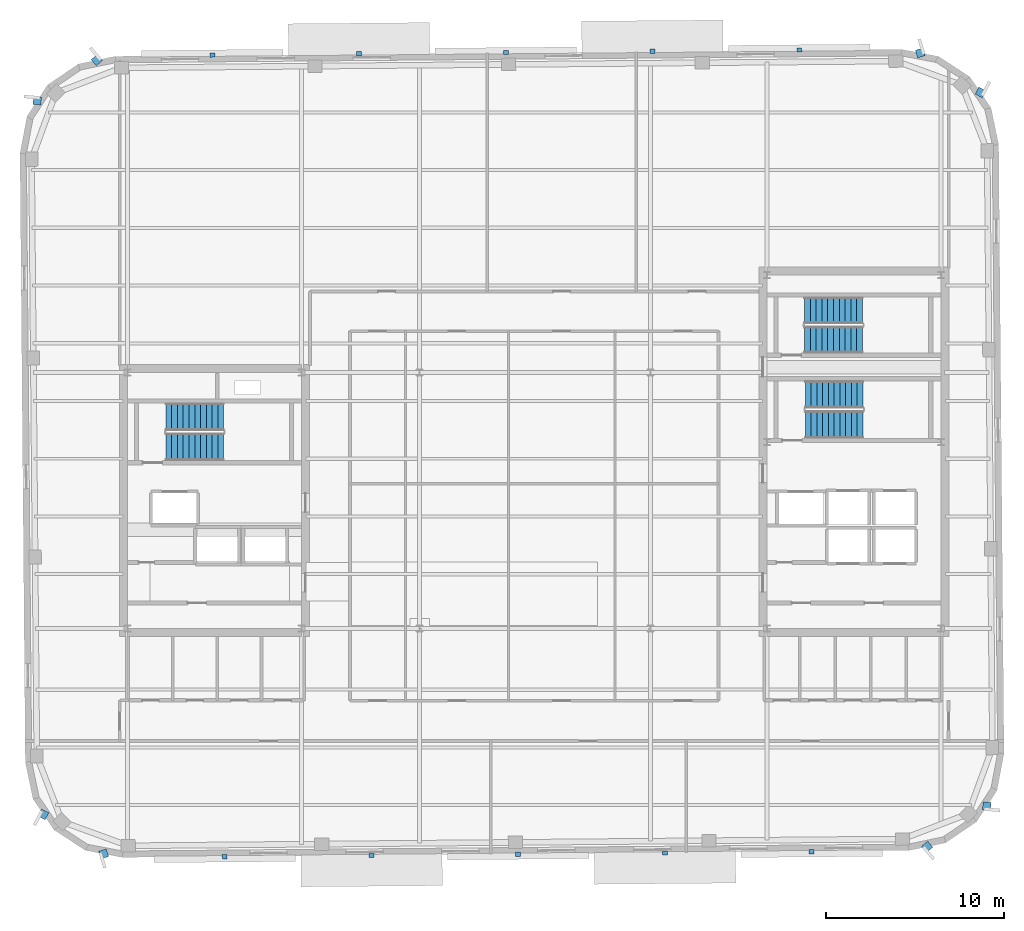
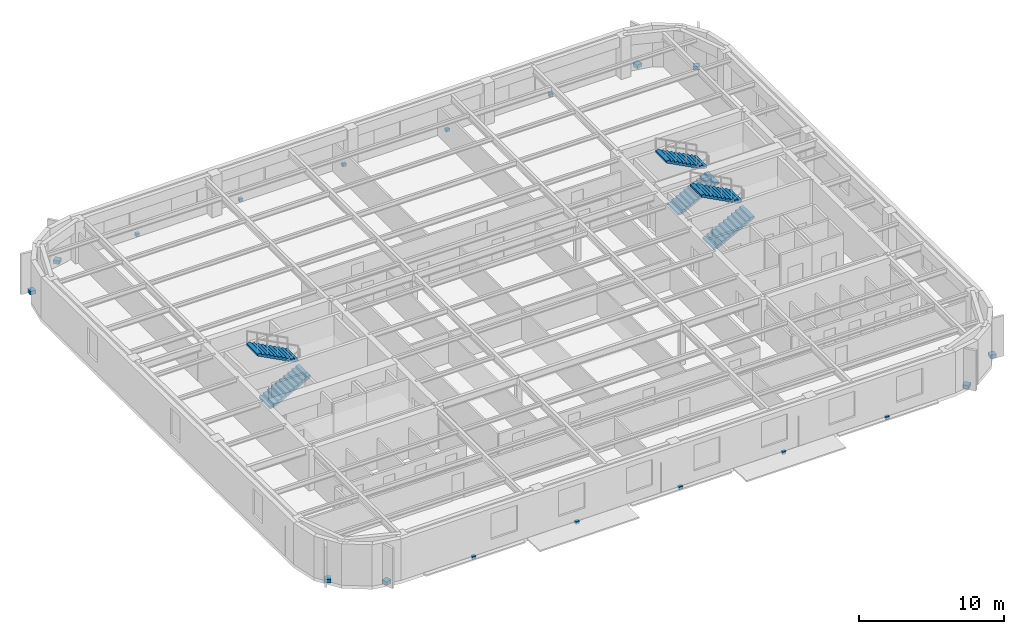
# One storey, part 10 of 15: 18 discrete accessories, 6 stair flights, 3 elements without a shape of their own.
"""IFC4 building model written with IfcOpenShell, lengths in metres."""

from ifc_helpers import new_model, si_unit, direction, frame, origin, origin_2d, place, context, subcontext, project, spatial, polyline, rectangle, outline, extrude, material, type_object, element, aggregate, save


model = new_model("IFC4")

# Units and contexts
model_context = context("Model", 3, precision=1e-05, world=origin(), true_north=direction((0.0, 1.0)))
body_context = subcontext(model_context, "Body", "Model", "MODEL_VIEW")
ifc_project = project(units=[si_unit("LENGTHUNIT", "METRE"), si_unit("AREAUNIT", "SQUARE_METRE"), si_unit("VOLUMEUNIT", "CUBIC_METRE"), si_unit("PLANEANGLEUNIT", "RADIAN"), si_unit("MASSUNIT", "GRAM", prefix="KILO")], contexts=[model_context])

# Site, building, storey
site_placement = place(None, origin())
site = spatial("IfcSite", under=ifc_project, at=site_placement, CompositionType="ELEMENT")
building_placement = place(site_placement, origin())
building = spatial("IfcBuilding", under=site, at=building_placement, Name="Kolvaren Arena Tower", CompositionType="ELEMENT")
storey_placement = place(building_placement, frame((0.0, 0.0, 304.89990234375)))
storey = spatial("IfcBuildingStorey", under=building, at=storey_placement, Name="L75", CompositionType="ELEMENT", Elevation=304.89990234375)

# Stair, stair flights
ifc_material_1 = material(Name="Concrete 45 MPa", Category="concrete")
stair_type_1 = type_object("IfcStairType", Name="STAIR-CORE-150", PredefinedType="HALF_TURN_STAIR", material=ifc_material_1)
stair_1_placement = place(storey_placement, origin())
stair_1 = element("IfcStair", 1, at=stair_1_placement, inside=storey, type_object=stair_type_1, Name="L75 ST-E2", PredefinedType="HALF_TURN_STAIR")
stair_flight_type_1 = type_object("IfcStairFlightType", Name="FLT-150", PredefinedType="STRAIGHT", material=ifc_material_1)
stair_flight_1_placement = place(storey_placement, frame((52.679931640625, 35.699951171875, 0.0), z_axis=(0.0, 0.0, 1.0), x_axis=(1.0, 0.0, 0.0)))
stair_flight_1 = element("IfcStairFlight", 2, at=stair_flight_1_placement, type_object=stair_flight_type_1, Name="ST-E2 flight 1", NumberOfRisers=11, NumberOfTreads=10, PredefinedType="STRAIGHT", RiserHeight=0.170454545, TreadLength=0.324, context=body_context, shape_type="SweptSolid", body=[
    extrude(outline(polyline([(0.0, 0.0), (0.0, 0.17041015625), (0.323974609375, 0.17041015625), (0.323974609375, 0.3408203125), (0.64794921875, 0.3408203125), (0.64794921875, 0.511474609375), (0.971923828125, 0.511474609375), (0.971923828125, 0.681884765625), (1.2958984375, 0.681884765625), (1.2958984375, 0.852294921875), (1.6201171875, 0.852294921875), (1.6201171875, 1.022705078125), (1.944091796875, 1.022705078125), (1.944091796875, 1.193115234375), (2.26806640625, 1.193115234375), (2.26806640625, 1.363525390625), (2.592041015625, 1.363525390625), (2.592041015625, 1.5341796875), (2.916015625, 1.5341796875), (2.916015625, 1.70458984375), (3.239990234375, 1.70458984375), (3.239990234375, 1.875), (3.239990234375, 1.53515625), (0.322021484375, 0.0), (0.0, 0.0)])), frame((0.0, 0.75, 0.0), z_axis=(0.0, -1.0, 0.0), x_axis=(1.0, 0.0, 0.0)), (0.0, 0.0, 1.0), 1.5),
])
stair_flight_2_placement = place(storey_placement, frame((55.919921875, 37.35009765625, 1.875), z_axis=(0.0, 0.0, 1.0), x_axis=(-1.0, 0.0, 0.0)))
stair_flight_2 = element("IfcStairFlight", 3, at=stair_flight_2_placement, type_object=stair_flight_type_1, Name="ST-E2 flight 2", NumberOfRisers=11, NumberOfTreads=10, PredefinedType="STRAIGHT", RiserHeight=0.170454545, TreadLength=0.324, context=body_context, shape_type="SweptSolid", body=[
    extrude(outline(polyline([(0.0, 0.0), (0.0, 0.17041015625), (0.323974609375, 0.17041015625), (0.323974609375, 0.3408203125), (0.64794921875, 0.3408203125), (0.64794921875, 0.511474609375), (0.971923828125, 0.511474609375), (0.971923828125, 0.681884765625), (1.2958984375, 0.681884765625), (1.2958984375, 0.852294921875), (1.6201171875, 0.852294921875), (1.6201171875, 1.022705078125), (1.944091796875, 1.022705078125), (1.944091796875, 1.193115234375), (2.26806640625, 1.193115234375), (2.26806640625, 1.363525390625), (2.592041015625, 1.363525390625), (2.592041015625, 1.5341796875), (2.916015625, 1.5341796875), (2.916015625, 1.70458984375), (3.239990234375, 1.70458984375), (3.239990234375, 1.875), (3.239990234375, 1.53515625), (0.322021484375, 0.0), (0.0, 0.0)])), frame((0.0, 0.75, 0.0), z_axis=(0.0, -1.0, 0.0), x_axis=(1.0, 0.0, 0.0)), (0.0, 0.0, 1.0), 1.5),
])
aggregate(stair_1, [stair_flight_1, stair_flight_2])

stair_type_2 = type_object("IfcStairType", Name="STAIR-CORE-165", PredefinedType="HALF_TURN_STAIR", material=ifc_material_1)
stair_2_placement = place(storey_placement, origin())
stair_2 = element("IfcStair", 4, at=stair_2_placement, inside=storey, type_object=stair_type_2, Name="L75 ST-W1", PredefinedType="HALF_TURN_STAIR")
stair_flight_type_2 = type_object("IfcStairFlightType", Name="FLT-165", PredefinedType="STRAIGHT", material=ifc_material_1)
stair_flight_3_placement = place(storey_placement, frame((16.719970703125, 29.669921875, 0.0), z_axis=(0.0, 0.0, 1.0), x_axis=(1.0, 0.0, 0.0)))
stair_flight_3 = element("IfcStairFlight", 5, at=stair_flight_3_placement, type_object=stair_flight_type_2, Name="ST-W1 flight 1", NumberOfRisers=11, NumberOfTreads=10, PredefinedType="STRAIGHT", RiserHeight=0.170454545, TreadLength=0.324, context=body_context, shape_type="SweptSolid", body=[
    extrude(outline(polyline([(0.0, 0.0), (0.0, 0.17041015625), (0.323974609375, 0.17041015625), (0.323974609375, 0.3408203125), (0.64794921875, 0.3408203125), (0.64794921875, 0.511474609375), (0.971923828125, 0.511474609375), (0.971923828125, 0.681884765625), (1.2958984375, 0.681884765625), (1.2958984375, 0.852294921875), (1.6201171875, 0.852294921875), (1.6201171875, 1.022705078125), (1.944091796875, 1.022705078125), (1.944091796875, 1.193115234375), (2.26806640625, 1.193115234375), (2.26806640625, 1.363525390625), (2.592041015625, 1.363525390625), (2.592041015625, 1.5341796875), (2.916015625, 1.5341796875), (2.916015625, 1.70458984375), (3.239990234375, 1.70458984375), (3.239990234375, 1.875), (3.239990234375, 1.53515625), (0.322021484375, 0.0), (0.0, 0.0)])), frame((0.0, 0.77001953125, 0.0), z_axis=(0.0, -1.0, 0.0), x_axis=(1.0, 0.0, 0.0)), (0.0, 0.0, 1.0), 1.5400390625),
])
stair_flight_4_placement = place(storey_placement, frame((19.9599609375, 31.360107421875, 1.875), z_axis=(0.0, 0.0, 1.0), x_axis=(-1.0, 0.0, 0.0)))
stair_flight_4 = element("IfcStairFlight", 6, at=stair_flight_4_placement, type_object=stair_flight_type_2, Name="ST-W1 flight 2", NumberOfRisers=11, NumberOfTreads=10, PredefinedType="STRAIGHT", RiserHeight=0.170454545, TreadLength=0.324, context=body_context, shape_type="SweptSolid", body=[
    extrude(outline(polyline([(0.0, 0.0), (0.0, 0.17041015625), (0.323974609375, 0.17041015625), (0.323974609375, 0.3408203125), (0.64794921875, 0.3408203125), (0.64794921875, 0.511474609375), (0.971923828125, 0.511474609375), (0.971923828125, 0.681884765625), (1.2958984375, 0.681884765625), (1.2958984375, 0.852294921875), (1.6201171875, 0.852294921875), (1.6201171875, 1.022705078125), (1.944091796875, 1.022705078125), (1.944091796875, 1.193115234375), (2.26806640625, 1.193115234375), (2.26806640625, 1.363525390625), (2.592041015625, 1.363525390625), (2.592041015625, 1.5341796875), (2.916015625, 1.5341796875), (2.916015625, 1.70458984375), (3.239990234375, 1.70458984375), (3.239990234375, 1.875), (3.239990234375, 1.53515625), (0.322021484375, 0.0), (0.0, 0.0)])), frame((0.0, 0.77001953125, 0.0), z_axis=(0.0, -1.0, 0.0), x_axis=(1.0, 0.0, 0.0)), (0.0, 0.0, 1.0), 1.5400390625),
])
aggregate(stair_2, [stair_flight_3, stair_flight_4])

stair_3_placement = place(storey_placement, origin())
stair_3 = element("IfcStair", 7, at=stair_3_placement, inside=storey, type_object=stair_type_2, Name="L75 ST-E1", PredefinedType="HALF_TURN_STAIR")
stair_flight_5_placement = place(storey_placement, frame((52.719970703125, 30.919921875, 0.0), z_axis=(0.0, 0.0, 1.0), x_axis=(1.0, 0.0, 0.0)))
stair_flight_5 = element("IfcStairFlight", 8, at=stair_flight_5_placement, type_object=stair_flight_type_2, Name="ST-E1 flight 1", NumberOfRisers=11, NumberOfTreads=10, PredefinedType="STRAIGHT", RiserHeight=0.170454545, TreadLength=0.324, context=body_context, shape_type="SweptSolid", body=[
    extrude(outline(polyline([(0.0, 0.0), (0.0, 0.17041015625), (0.323974609375, 0.17041015625), (0.323974609375, 0.3408203125), (0.64794921875, 0.3408203125), (0.64794921875, 0.511474609375), (0.971923828125, 0.511474609375), (0.971923828125, 0.681884765625), (1.2958984375, 0.681884765625), (1.2958984375, 0.852294921875), (1.6201171875, 0.852294921875), (1.6201171875, 1.022705078125), (1.944091796875, 1.022705078125), (1.944091796875, 1.193115234375), (2.26806640625, 1.193115234375), (2.26806640625, 1.363525390625), (2.592041015625, 1.363525390625), (2.592041015625, 1.5341796875), (2.916015625, 1.5341796875), (2.916015625, 1.70458984375), (3.239990234375, 1.70458984375), (3.239990234375, 1.875), (3.239990234375, 1.53515625), (0.322021484375, 0.0), (0.0, 0.0)])), frame((0.0, 0.77001953125, 0.0), z_axis=(0.0, -1.0, 0.0), x_axis=(1.0, 0.0, 0.0)), (0.0, 0.0, 1.0), 1.5400390625),
])
stair_flight_6_placement = place(storey_placement, frame((55.9599609375, 32.610107421875, 1.875), z_axis=(0.0, 0.0, 1.0), x_axis=(-1.0, 0.0, 0.0)))
stair_flight_6 = element("IfcStairFlight", 9, at=stair_flight_6_placement, type_object=stair_flight_type_2, Name="ST-E1 flight 2", NumberOfRisers=11, NumberOfTreads=10, PredefinedType="STRAIGHT", RiserHeight=0.170454545, TreadLength=0.324, context=body_context, shape_type="SweptSolid", body=[
    extrude(outline(polyline([(0.0, 0.0), (0.0, 0.17041015625), (0.323974609375, 0.17041015625), (0.323974609375, 0.3408203125), (0.64794921875, 0.3408203125), (0.64794921875, 0.511474609375), (0.971923828125, 0.511474609375), (0.971923828125, 0.681884765625), (1.2958984375, 0.681884765625), (1.2958984375, 0.852294921875), (1.6201171875, 0.852294921875), (1.6201171875, 1.022705078125), (1.944091796875, 1.022705078125), (1.944091796875, 1.193115234375), (2.26806640625, 1.193115234375), (2.26806640625, 1.363525390625), (2.592041015625, 1.363525390625), (2.592041015625, 1.5341796875), (2.916015625, 1.5341796875), (2.916015625, 1.70458984375), (3.239990234375, 1.70458984375), (3.239990234375, 1.875), (3.239990234375, 1.53515625), (0.322021484375, 0.0), (0.0, 0.0)])), frame((0.0, 0.77001953125, 0.0), z_axis=(0.0, -1.0, 0.0), x_axis=(1.0, 0.0, 0.0)), (0.0, 0.0, 1.0), 1.5400390625),
])
aggregate(stair_3, [stair_flight_5, stair_flight_6])

# Discrete accessories
ifc_material_2 = material(Name="Stainless steel facade support bracket", Category="steel")
discrete_accessory_type = type_object("IfcDiscreteAccessoryType", Name="ACC-BRKT-1", PredefinedType="BRACKET", material=ifc_material_2)
for number, where, z_axis, x_axis, name in (
    (10, (59.577392578125, 7.15869140625, 0.02001953125), (0.0, 0.0, 1.0), (0.639409480102, -0.768866384202, 0.0), "Corner Fin Anchor Bracket (L75)"),
    (11, (62.927978515625, 9.43994140625, 0.02001953125), (0.0, 0.0, 1.0), (0.995807961336, -0.091468596471, 0.0), "Corner Fin Anchor Bracket (L75)"),
    (12, (62.577392578125, 49.623291015625, 0.02001953125), (0.0, 0.0, 1.0), (0.465619154103, 0.884985199499, 0.0), "Corner Fin Anchor Bracket (L75)"),
    (13, (59.1875, 51.845947265625, 0.02001953125), (0.0, 0.0, 1.0), (-0.296541574976, 0.955019944457, 0.0), "Corner Fin Anchor Bracket (L75)"),
):
    element("IfcDiscreteAccessory", number, at=place(storey_placement, frame(where, z_axis=z_axis, x_axis=x_axis)), inside=storey, type_object=discrete_accessory_type, Name=name, PredefinedType="BRACKET", context=body_context, shape_type="SweptSolid", body=[
        extrude(rectangle(XDim=0.449951171875, YDim=0.449951171875, at=origin_2d()), origin(), (0.0, 0.0, 1.0), 0.300048828125),
    ])
for number, where, z_axis, x_axis, name in (
    (14, (19.333740234375, 51.7236328125, -0.1796875), (0.0, 0.0, 1.0), (0.999961923064, 0.008726535498, 0.0), "Sunshade Support Bracket (L75)"),
    (15, (27.593505859375, 51.795654296875, -0.1796875), (0.0, 0.0, 1.0), (0.999961923064, 0.008726535498, 0.0), "Sunshade Support Bracket (L75)"),
    (16, (35.85302734375, 51.867919921875, -0.1796875), (0.0, 0.0, 1.0), (0.999961923064, 0.008726535498, 0.0), "Sunshade Support Bracket (L75)"),
    (17, (44.11279296875, 51.93994140625, -0.1796875), (0.0, 0.0, 1.0), (0.999961923064, 0.008726535498, 0.0), "Sunshade Support Bracket (L75)"),
    (18, (52.372314453125, 52.011962890625, -0.1796875), (0.0, 0.0, 1.0), (0.999961923064, 0.008726535498, 0.0), "Sunshade Support Bracket (L75)"),
):
    element("IfcDiscreteAccessory", number, at=place(storey_placement, frame(where, z_axis=z_axis, x_axis=x_axis)), inside=storey, type_object=discrete_accessory_type, Name=name, PredefinedType="BRACKET", context=body_context, shape_type="SweptSolid", body=[
        extrude(rectangle(XDim=0.280029296875, YDim=0.239990234375, at=origin_2d()), origin(), (0.0, 0.0, 1.0), 0.239990234375),
    ])
for number, where, z_axis, x_axis, name in (
    (19, (12.822509765625, 51.44140625, 0.02001953125), (0.0, 0.0, 1.0), (-0.639409480102, 0.768866384202, 0.0), "Corner Fin Anchor Bracket (L75)"),
    (20, (9.471923828125, 49.159912109375, 0.02001953125), (0.0, 0.0, 1.0), (-0.995807961336, 0.091468596471, 0.0), "Corner Fin Anchor Bracket (L75)"),
    (21, (9.82275390625, 8.9765625, 0.02001953125), (0.0, 0.0, 1.0), (-0.465619154103, -0.884985199499, 0.0), "Corner Fin Anchor Bracket (L75)"),
    (22, (13.212646484375, 6.754150390625, 0.02001953125), (0.0, 0.0, 1.0), (0.296541574976, -0.955019944457, 0.0), "Corner Fin Anchor Bracket (L75)"),
):
    element("IfcDiscreteAccessory", number, at=place(storey_placement, frame(where, z_axis=z_axis, x_axis=x_axis)), inside=storey, type_object=discrete_accessory_type, Name=name, PredefinedType="BRACKET", context=body_context, shape_type="SweptSolid", body=[
        extrude(rectangle(XDim=0.449951171875, YDim=0.449951171875, at=origin_2d()), origin(), (0.0, 0.0, 1.0), 0.300048828125),
    ])
for number, where, z_axis, x_axis, name in (
    (23, (53.06640625, 6.87646484375, -0.1796875), (0.0, 0.0, 1.0), (-0.999961923064, -0.008726535498, 0.0), "Sunshade Support Bracket (L75)"),
    (24, (44.806640625, 6.80419921875, -0.1796875), (0.0, 0.0, 1.0), (-0.999961923064, -0.008726535498, 0.0), "Sunshade Support Bracket (L75)"),
    (25, (36.546875, 6.732177734375, -0.1796875), (0.0, 0.0, 1.0), (-0.999961923064, -0.008726535498, 0.0), "Sunshade Support Bracket (L75)"),
    (26, (28.287109375, 6.66015625, -0.1796875), (0.0, 0.0, 1.0), (-0.999961923064, -0.008726535498, 0.0), "Sunshade Support Bracket (L75)"),
    (27, (20.027587890625, 6.587890625, -0.1796875), (0.0, 0.0, 1.0), (-0.999961923064, -0.008726535498, 0.0), "Sunshade Support Bracket (L75)"),
):
    element("IfcDiscreteAccessory", number, at=place(storey_placement, frame(where, z_axis=z_axis, x_axis=x_axis)), inside=storey, type_object=discrete_accessory_type, Name=name, PredefinedType="BRACKET", context=body_context, shape_type="SweptSolid", body=[
        extrude(rectangle(XDim=0.280029296875, YDim=0.239990234375, at=origin_2d()), origin(), (0.0, 0.0, 1.0), 0.239990234375),
    ])

save(model, "model.ifc")
